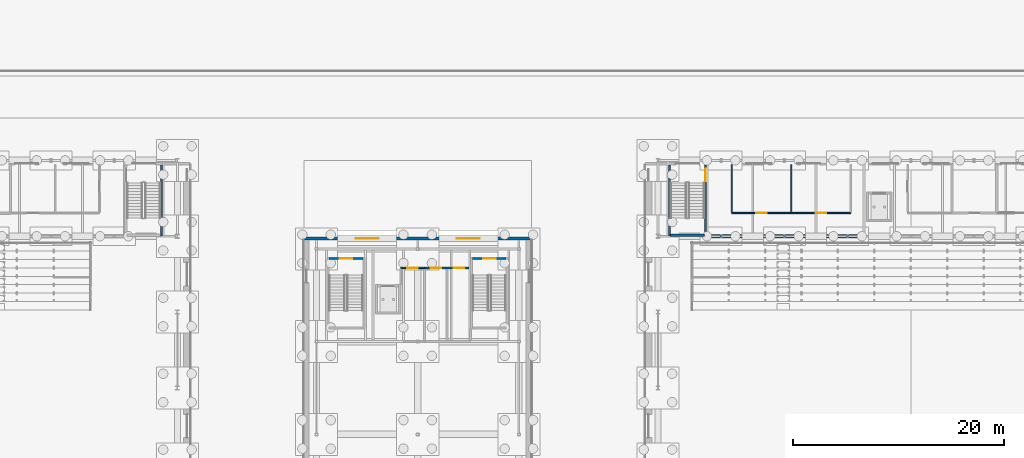
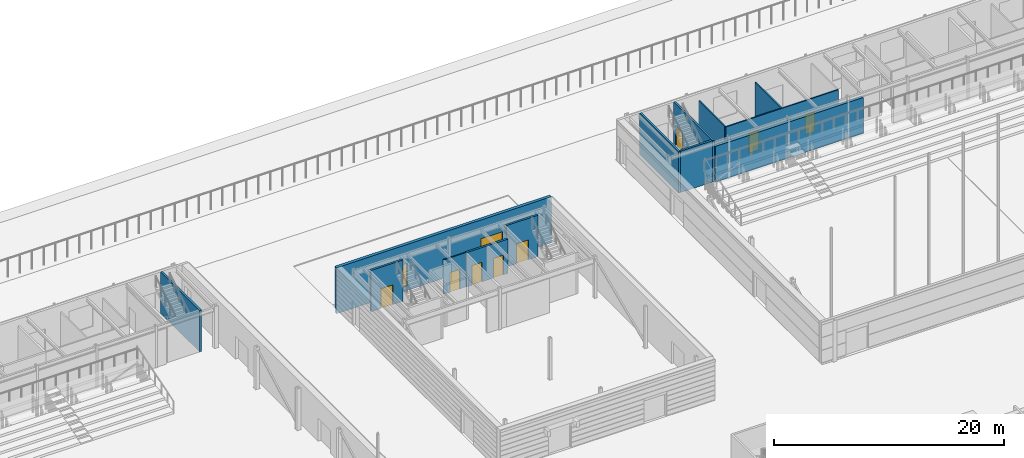
# One storey, part 87 of 139: 13 walls, 10 doors, 10 openings.
"""IFC4 building model written with IfcOpenShell, lengths in metres."""

import ifcopenshell
import ifcopenshell.guid

model = None  # the IFC model being written
_history = None  # IfcOwnerHistory: only IFC2X3 demands one
_inside = {}  # id of a spatial element -> (the spatial element, [elements in it])
_under = {}  # id of a project, library or spatial element -> (it, [spatial elements below it])
_declared = {}  # id of a project -> (the project, [libraries it declares])
_typed = {}  # id of a type object -> (the type object, [elements of that type])
_made_of = {}  # id of a material, layer set ... -> (it, [elements and type objects made of it])


def new_model(schema):
    """Start an empty IFC model of exactly this schema.

    Asked for "IFC4X3", IfcOpenShell would pick the latest addendum, in which some entities
    have other attributes; the version numbers below select the first issue.
    IFC2X3 requires an IfcOwnerHistory on every rooted entity: one is made here for all.
    """
    global model, _history
    if schema == "IFC4X3":
        model = ifcopenshell.file(schema_version=(4, 3, 0, 0))
    else:
        model = ifcopenshell.file(schema=schema)
    _inside.clear()
    _under.clear()
    _declared.clear()
    _typed.clear()
    _made_of.clear()
    _history = None
    if model.schema == "IFC2X3":
        org = make("IfcOrganization", Name="unknown")
        user = make(
            "IfcPersonAndOrganization",
            ThePerson=make("IfcPerson", FamilyName="unknown"),
            TheOrganization=org,
        )
        app = make(
            "IfcApplication",
            ApplicationDeveloper=org,
            Version="unknown",
            ApplicationFullName="unknown",
            ApplicationIdentifier="unknown",
        )
        _history = make(
            "IfcOwnerHistory",
            OwningUser=user,
            OwningApplication=app,
            ChangeAction="ADDED",
            CreationDate=0,
        )
    return model


def make(cls, **values):
    """One entity of the class cls with the attributes given. An attribute that is None is left unset."""
    return model.create_entity(
        cls, **{name: value for name, value in values.items() if value is not None}
    )


def rooted(cls, **values):
    """An entity with a GlobalId (a new one), such as an element, a storey or a relation."""
    return make(cls, GlobalId=ifcopenshell.guid.new(), OwnerHistory=_history, **values)


def si_unit(unit_type, name, prefix=None):
    """IfcSIUnit, for example si_unit("LENGTHUNIT", "METRE", prefix="MILLI")."""
    return make("IfcSIUnit", UnitType=unit_type, Prefix=prefix, Name=name)


def assignment(units):
    """IfcUnitAssignment: the units of a project."""
    return None if units is None else make("IfcUnitAssignment", Units=units)


def point(xyz):
    """IfcCartesianPoint."""
    return None if xyz is None else make("IfcCartesianPoint", Coordinates=xyz)


def direction(xyz):
    """IfcDirection."""
    return None if xyz is None else make("IfcDirection", DirectionRatios=xyz)


def frame(location, z_axis=None, x_axis=None):
    """IfcAxis2Placement3D, a coordinate frame: its origin and axes. An axis left out is left unset."""
    return make(
        "IfcAxis2Placement3D",
        Location=point(location),
        Axis=direction(z_axis),
        RefDirection=direction(x_axis),
    )


def frame_2d(location, x_axis=None):
    """IfcAxis2Placement2D, a coordinate frame in the plane: its origin and x axis."""
    return make(
        "IfcAxis2Placement2D", Location=point(location), RefDirection=direction(x_axis)
    )


def origin():
    """The frame at (0, 0, 0) with its axes left unset."""
    return frame((0.0, 0.0, 0.0))


def place(relative_to, where):
    """IfcLocalPlacement: puts the frame where relative to a parent placement (None: the world)."""
    return make(
        "IfcLocalPlacement", PlacementRelTo=relative_to, RelativePlacement=where
    )


def context(
    kind, dimensions, precision=None, world=None, true_north=None, identifier=None
):
    """IfcGeometricRepresentationContext, for example the 3D "Model" context."""
    return make(
        "IfcGeometricRepresentationContext",
        ContextIdentifier=identifier,
        ContextType=kind,
        CoordinateSpaceDimension=dimensions,
        Precision=precision,
        WorldCoordinateSystem=world,
        TrueNorth=true_north,
    )


def subcontext(parent, identifier, kind, view, scale=None):
    """IfcGeometricRepresentationSubContext, for example "Body" below "Model"."""
    return make(
        "IfcGeometricRepresentationSubContext",
        ContextIdentifier=identifier,
        ContextType=kind,
        ParentContext=parent,
        TargetScale=scale,
        TargetView=view,
    )


def project(units=None, contexts=None):
    """IfcProject with its units and contexts."""
    return rooted(
        "IfcProject",
        Name="project",
        RepresentationContexts=contexts,
        UnitsInContext=assignment(units),
    )


def spatial(cls, under=None, at=None, **own):
    """A site, building, storey or space (cls), placed at a placement, below another one or the project."""
    s = rooted(cls, ObjectPlacement=at, **own)
    if under is not None:
        _under.setdefault(under.id(), (under, []))[1].append(s)
    return s


def profile(cls, at=None, kind="AREA", **sizes):
    """A parametric profile (cls). Its sizes go by their IFC names, for example OverallWidth=200.0."""
    return make(cls, ProfileType=kind, Position=at, **sizes)


def rectangle(**sizes):
    """IfcRectangleProfileDef."""
    return profile("IfcRectangleProfileDef", **sizes)


def extrude(swept, where, along, depth):
    """IfcExtrudedAreaSolid: the profile swept, set in the frame where, extruded along a direction by depth."""
    return make(
        "IfcExtrudedAreaSolid",
        SweptArea=swept,
        Position=where,
        ExtrudedDirection=direction(along),
        Depth=depth,
    )


def shape(context_of_items, identifier, shape_type, items):
    """IfcShapeRepresentation: the items that make up one representation, for example the "Body"."""
    return make(
        "IfcShapeRepresentation",
        ContextOfItems=context_of_items,
        RepresentationIdentifier=identifier,
        RepresentationType=shape_type,
        Items=items,
    )


def material(Name=None, Category=None):
    """IfcMaterial."""
    return make("IfcMaterial", Name=Name, Category=Category)


def layer(
    of_material, thickness, ventilated=None, Name=None, Category=None, Priority=None
):
    """IfcMaterialLayer: one layer of a wall or slab, of a material (None: an air gap)."""
    return make(
        "IfcMaterialLayer",
        Material=of_material,
        LayerThickness=thickness,
        IsVentilated=ventilated,
        Name=Name,
        Category=Category,
        Priority=Priority,
    )


def layer_set(layers, Name=None):
    """IfcMaterialLayerSet."""
    return make("IfcMaterialLayerSet", MaterialLayers=layers, LayerSetName=Name)


def made_of(thing, what):
    """Note that an element or type object is made of a material, layer set ...; save() writes the relation."""
    if what is not None:
        _made_of.setdefault(what.id(), (what, []))[1].append(thing)
    return thing


def type_object(cls, material=None, **own):
    """A type object (cls), such as IfcWallType, which elements share."""
    return made_of(rooted(cls, **own), material)


def element(
    cls,
    number,
    at=None,
    inside=None,
    cuts=None,
    type_object=None,
    material=None,
    context=None,
    identifier="Body",
    shape_type=None,
    held_by="IfcProductDefinitionShape",
    body=None,
    shapes=None,
    **own,
):
    """One element of the class cls, such as IfcWall. Its Tag is "e" and its number.

    at: its placement. inside: the storey or other place that contains it. cuts: it is an
    opening in that element (IfcRelVoidsElement). A single representation is given by context,
    identifier, shape_type and body (its items); several are given by shapes. held_by: the class
    of the entity that holds the representations. save() writes the other relations.
    """
    e = rooted(cls, Tag="e%d" % number, ObjectPlacement=at, **own)
    if body is not None:
        shapes = [shape(context, identifier, shape_type, body)]
    if shapes is not None:
        e.Representation = make(held_by, Representations=shapes)
    if inside is not None:
        _inside.setdefault(inside.id(), (inside, []))[1].append(e)
    if cuts is not None:
        rooted(
            "IfcRelVoidsElement", RelatingBuildingElement=cuts, RelatedOpeningElement=e
        )
    if type_object is not None:
        _typed.setdefault(type_object.id(), (type_object, []))[1].append(e)
    return made_of(e, material)


def fill(opening, filler):
    """IfcRelFillsElement: the door or window that sits in an opening."""
    return rooted(
        "IfcRelFillsElement",
        RelatingOpeningElement=opening,
        RelatedBuildingElement=filler,
    )


def aggregate(whole, parts):
    """IfcRelAggregates: a whole, such as a stair, and the parts it consists of."""
    return rooted("IfcRelAggregates", RelatingObject=whole, RelatedObjects=parts)


def save(model, path):
    """Write the relations noted so far, then the file.

    IfcRelAggregates (storeys below a building ...), IfcRelContainedInSpatialStructure (elements
    in a storey), IfcRelDefinesByType, IfcRelAssociatesMaterial and IfcRelDeclares: one each for
    every whole, place, type object, material and project.
    """
    for whole, parts in _under.values():
        aggregate(whole, parts)
    for where, things in _inside.values():
        rooted(
            "IfcRelContainedInSpatialStructure",
            RelatedElements=things,
            RelatingStructure=where,
        )
    for kind, things in _typed.values():
        rooted("IfcRelDefinesByType", RelatedObjects=things, RelatingType=kind)
    for what, things in _made_of.values():
        rooted("IfcRelAssociatesMaterial", RelatedObjects=things, RelatingMaterial=what)
    for by, libraries in _declared.values():
        rooted("IfcRelDeclares", RelatingContext=by, RelatedDefinitions=libraries)
    model.write(path)


model = new_model("IFC4")

# Units and contexts
model_context = context("Model", 3, precision=1e-05, world=origin(), true_north=direction((0.0, 1.0)))
body_context = subcontext(model_context, "Body", "Model", "MODEL_VIEW")
ifc_project = project(units=[si_unit("LENGTHUNIT", "METRE"), si_unit("AREAUNIT", "SQUARE_METRE"), si_unit("VOLUMEUNIT", "CUBIC_METRE"), si_unit("PLANEANGLEUNIT", "RADIAN"), si_unit("MASSUNIT", "GRAM", prefix="KILO")], contexts=[model_context])

# Site, building, storey
site_placement = place(None, origin())
site = spatial("IfcSite", under=ifc_project, at=site_placement, CompositionType="ELEMENT")
building_placement = place(site_placement, origin())
building = spatial("IfcBuilding", under=site, at=building_placement, Name="Verrick Yard Athletic Hall", CompositionType="ELEMENT")
storey_placement = place(building_placement, origin())
storey = spatial("IfcBuildingStorey", under=building, at=storey_placement, Name="L00", CompositionType="ELEMENT", Elevation=0.0)

# Wall, opening, door
ifc_material_1 = material(Name="Concrete 35 MPa", Category="concrete")
ifc_layer_1 = layer(ifc_material_1, 0.199951171875)
ifc_layer_set_1 = layer_set([ifc_layer_1], Name="Enclosure wall CR200")
wall_type_1 = type_object("IfcWallType", Name="Enclosure wall CR200", PredefinedType="SOLIDWALL", material=ifc_layer_set_1)
wall_1_placement = place(storey_placement, frame((104.0, 98.699951171875, 0.0), z_axis=(0.0, 0.0, 1.0), x_axis=(1.0, 0.0, 0.0)))
wall_1 = element("IfcWall", 1, at=wall_1_placement, inside=storey, type_object=wall_type_1, Name="CORE-CH-E-WN-L00", PredefinedType="SOLIDWALL", context=body_context, shape_type="SweptSolid", body=[
    extrude(rectangle(XDim=3.199951171875, YDim=0.199951171875, at=frame_2d((1.60009765625, 0.0))), origin(), (0.0, 0.0, 1.0), 4.39990234375),
])
opening_1_placement = place(wall_1_placement, frame((1.0, 0.0, 0.0)))
opening_1 = element("IfcOpeningElement", 2, at=opening_1_placement, cuts=wall_1, Name="Opening SD1", PredefinedType="OPENING", context=body_context, shape_type="SweptSolid", body=[
    extrude(rectangle(XDim=1.199951171875, YDim=2.10009765625, at=frame_2d((0.60009765625, 1.050048828125))), frame((0.0, 0.10986328125, 0.0), z_axis=(0.0, -1.0, 0.0), x_axis=(1.0, 0.0, 0.0)), (0.0, 0.0, 1.0), 0.219970703125),
])
ifc_material_2 = material(Name="Hollow metal door leaf")
door_type_1 = type_object("IfcDoorType", Name="Core door SD1 1200x2100", OperationType="NOTDEFINED", PredefinedType="DOOR", material=ifc_material_2)
door_1_placement = place(opening_1_placement, origin())
door_1 = element("IfcDoor", 3, at=door_1_placement, inside=storey, type_object=door_type_1, Name="CORE-CH-E-WN-L00-DSD1-10560", OperationType="SINGLE_SWING_LEFT", OverallHeight=2.10009765625, OverallWidth=1.199951171875, PredefinedType="DOOR", context=body_context, shape_type="SweptSolid", body=[
    extrude(rectangle(XDim=1.199951171875, YDim=2.10009765625, at=frame_2d((0.60009765625, 1.050048828125))), frame((0.0, 0.02490234375, 0.0), z_axis=(0.0, -1.0, 0.0), x_axis=(1.0, 0.0, 0.0)), (0.0, 0.0, 1.0), 0.050048828125),
])
fill(opening_1, door_1)

wall_2_placement = place(storey_placement, frame((90.39990234375, 98.699951171875, 0.0), z_axis=(0.0, 0.0, 1.0), x_axis=(1.0, 0.0, 0.0)))
wall_2 = element("IfcWall", 4, at=wall_2_placement, inside=storey, type_object=wall_type_1, Name="CORE-CH-W-WN-L00", PredefinedType="SOLIDWALL", context=body_context, shape_type="SweptSolid", body=[
    extrude(rectangle(XDim=3.2001953125, YDim=0.199951171875, at=frame_2d((1.60009765625, 0.0))), origin(), (0.0, 0.0, 1.0), 4.39990234375),
])
opening_2_placement = place(wall_2_placement, frame((1.0, 0.0, 0.0)))
opening_2 = element("IfcOpeningElement", 5, at=opening_2_placement, cuts=wall_2, Name="Opening SD1", PredefinedType="OPENING", context=body_context, shape_type="SweptSolid", body=[
    extrude(rectangle(XDim=1.199951171875, YDim=2.10009765625, at=frame_2d((0.60009765625, 1.050048828125))), frame((0.0, 0.10986328125, 0.0), z_axis=(0.0, -1.0, 0.0), x_axis=(1.0, 0.0, 0.0)), (0.0, 0.0, 1.0), 0.219970703125),
])
door_2_placement = place(opening_2_placement, origin())
door_2 = element("IfcDoor", 6, at=door_2_placement, inside=storey, type_object=door_type_1, Name="CORE-CH-W-WN-L00-DSD1-9200", OperationType="SINGLE_SWING_RIGHT", OverallHeight=2.10009765625, OverallWidth=1.199951171875, PredefinedType="DOOR", context=body_context, shape_type="SweptSolid", body=[
    extrude(rectangle(XDim=1.199951171875, YDim=2.10009765625, at=frame_2d((0.60009765625, 1.050048828125))), frame((0.0, 0.02490234375, 0.0), z_axis=(0.0, -1.0, 0.0), x_axis=(1.0, 0.0, 0.0)), (0.0, 0.0, 1.0), 0.050048828125),
])
fill(opening_2, door_2)

# Wall
wall_3_placement = place(storey_placement, frame((122.699951171875, 100.800048828125, 0.0), z_axis=(0.0, 0.0, 1.0), x_axis=(0.0, 1.0, 0.0)))
element("IfcWall", 7, at=wall_3_placement, inside=storey, type_object=wall_type_1, Name="CORE-HA-W-WW-L00", PredefinedType="SOLIDWALL", context=body_context, shape_type="SweptSolid", body=[
    extrude(rectangle(XDim=6.782958984375, YDim=0.199951171875, at=frame_2d((3.3916015625, 0.0))), origin(), (0.0, 0.0, 1.0), 4.39990234375),
])

# Wall, opening, door
wall_4_placement = place(storey_placement, frame((126.10009765625, 100.800048828125, 0.0), z_axis=(0.0, 0.0, 1.0), x_axis=(0.0, 1.0, 0.0)))
wall_4 = element("IfcWall", 8, at=wall_4_placement, inside=storey, type_object=wall_type_1, Name="CORE-HA-W-WE-L00", PredefinedType="SOLIDWALL", context=body_context, shape_type="SweptSolid", body=[
    extrude(rectangle(XDim=6.782958984375, YDim=0.199951171875, at=frame_2d((3.3916015625, 0.0))), origin(), (0.0, 0.0, 1.0), 4.39990234375),
])
opening_3_placement = place(wall_4_placement, frame((5.22509765625, 0.0, 0.0)))
opening_3 = element("IfcOpeningElement", 9, at=opening_3_placement, cuts=wall_4, Name="Opening SD1", PredefinedType="OPENING", context=body_context, shape_type="SweptSolid", body=[
    extrude(rectangle(XDim=1.199951171875, YDim=2.10009765625, at=frame_2d((0.60009765625, 1.050048828125))), frame((0.0, 0.10986328125, 0.0), z_axis=(0.0, -1.0, 0.0), x_axis=(1.0, 0.0, 0.0)), (0.0, 0.0, 1.0), 0.219970703125),
])
door_3_placement = place(opening_3_placement, origin())
door_3 = element("IfcDoor", 10, at=door_3_placement, inside=storey, type_object=door_type_1, Name="CORE-HA-W-WE-L00-DSD1-10662", OperationType="SINGLE_SWING_LEFT", OverallHeight=2.10009765625, OverallWidth=1.199951171875, PredefinedType="DOOR", context=body_context, shape_type="SweptSolid", body=[
    extrude(rectangle(XDim=1.199951171875, YDim=2.10009765625, at=frame_2d((0.60009765625, 1.050048828125))), frame((0.0, 0.02490234375, 0.0), z_axis=(0.0, -1.0, 0.0), x_axis=(1.0, 0.0, 0.0)), (0.0, 0.0, 1.0), 0.050048828125),
])
fill(opening_3, door_3)

# Walls
wall_5_placement = place(storey_placement, frame((122.800048828125, 100.89990234375, 0.0), z_axis=(0.0, 0.0, 1.0), x_axis=(1.0, 0.0, 0.0)))
element("IfcWall", 11, at=wall_5_placement, inside=storey, type_object=wall_type_1, Name="CORE-HA-W-WS-L00", PredefinedType="SOLIDWALL", context=body_context, shape_type="SweptSolid", body=[
    extrude(rectangle(XDim=3.199951171875, YDim=0.199951171875, at=frame_2d((1.60009765625, 0.0))), origin(), (0.0, 0.0, 1.0), 4.39990234375),
])
wall_6_placement = place(storey_placement, frame((74.5, 100.800048828125, 0.0), z_axis=(0.0, 0.0, 1.0), x_axis=(0.0, 1.0, 0.0)))
element("IfcWall", 12, at=wall_6_placement, inside=storey, type_object=wall_type_1, Name="CORE-HB-E-WE-L00", PredefinedType="SOLIDWALL", context=body_context, shape_type="SweptSolid", body=[
    extrude(rectangle(XDim=6.782958984375, YDim=0.199951171875, at=frame_2d((3.3916015625, 0.0))), origin(), (0.0, 0.0, 1.0), 4.39990234375),
])

# Wall, openings, doors
ifc_layer_2 = layer(ifc_material_1, 0.300048828125)
ifc_layer_set_2 = layer_set([ifc_layer_2], Name="HB climbing wall 300")
wall_type_2 = type_object("IfcWallType", Name="HB climbing wall 300", PredefinedType="SOLIDWALL", material=ifc_layer_set_2)
wall_7_placement = place(storey_placement, frame((88.0, 100.60009765625, -0.5), z_axis=(0.0, 0.0, 1.0), x_axis=(1.0, 0.0, 0.0)))
wall_7 = element("IfcWall", 13, at=wall_7_placement, inside=storey, type_object=wall_type_2, Name="HB-CT-L00", PredefinedType="SOLIDWALL", context=body_context, shape_type="SweptSolid", body=[
    extrude(rectangle(XDim=21.60009765625, YDim=0.300048828125, at=frame_2d((10.800048828125, 0.0))), origin(), (0.0, 0.0, 1.0), 4.89990234375),
])
opening_4_placement = place(wall_7_placement, frame((4.89990234375, 0.0, 0.5)))
opening_4 = element("IfcOpeningElement", 14, at=opening_4_placement, cuts=wall_7, Name="Opening ED23", PredefinedType="OPENING", context=body_context, shape_type="SweptSolid", body=[
    extrude(rectangle(XDim=2.199951171875, YDim=2.39990234375, at=frame_2d((1.10009765625, 1.199951171875))), frame((0.0, 0.16015625, 0.0), z_axis=(0.0, -1.0, 0.0), x_axis=(1.0, 0.0, 0.0)), (0.0, 0.0, 1.0), 0.320068359375),
])
opening_5_placement = place(wall_7_placement, frame((14.5, 0.0, 0.5)))
opening_5 = element("IfcOpeningElement", 15, at=opening_5_placement, cuts=wall_7, Name="Opening ED23", PredefinedType="OPENING", context=body_context, shape_type="SweptSolid", body=[
    extrude(rectangle(XDim=2.199951171875, YDim=2.39990234375, at=frame_2d((1.10009765625, 1.199951171875))), frame((0.0, 0.16015625, 0.0), z_axis=(0.0, -1.0, 0.0), x_axis=(1.0, 0.0, 0.0)), (0.0, 0.0, 1.0), 0.320068359375),
])
ifc_material_3 = material(Name="Powder-coated aluminium door leaf", Category="aluminium")
door_type_2 = type_object("IfcDoorType", Name="Exterior double door 2200", OperationType="NOTDEFINED", PredefinedType="DOOR", material=ifc_material_3)
door_4_placement = place(opening_4_placement, origin())
door_4 = element("IfcDoor", 16, at=door_4_placement, inside=storey, type_object=door_type_2, Name="Climbing hall exit door N1", OperationType="DOUBLE_DOOR_SINGLE_SWING", OverallHeight=2.39990234375, OverallWidth=2.199951171875, PredefinedType="DOOR", context=body_context, shape_type="SweptSolid", body=[
    extrude(rectangle(XDim=2.199951171875, YDim=2.39990234375, at=frame_2d((1.10009765625, 1.199951171875))), frame((0.0, 0.02490234375, 0.0), z_axis=(0.0, -1.0, 0.0), x_axis=(1.0, 0.0, 0.0)), (0.0, 0.0, 1.0), 0.050048828125),
])
fill(opening_4, door_4)
door_5_placement = place(opening_5_placement, origin())
door_5 = element("IfcDoor", 17, at=door_5_placement, inside=storey, type_object=door_type_2, Name="Climbing hall exit door N2", OperationType="DOUBLE_DOOR_SINGLE_SWING", OverallHeight=2.39990234375, OverallWidth=2.199951171875, PredefinedType="DOOR", context=body_context, shape_type="SweptSolid", body=[
    extrude(rectangle(XDim=2.199951171875, YDim=2.39990234375, at=frame_2d((1.10009765625, 1.199951171875))), frame((0.0, 0.02490234375, 0.0), z_axis=(0.0, -1.0, 0.0), x_axis=(1.0, 0.0, 0.0)), (0.0, 0.0, 1.0), 0.050048828125),
])
fill(opening_5, door_5)

ifc_material_4 = material(Name="Concrete masonry block 15 MPa", Category="masonry")
ifc_layer_3 = layer(ifc_material_4, 0.199951171875)
ifc_layer_set_3 = layer_set([ifc_layer_3], Name="PW1 Block partition 200")
wall_type_3 = type_object("IfcWallType", Name="PW1 Block partition 200", PredefinedType="PARTITIONING", material=ifc_layer_set_3)
wall_8_placement = place(storey_placement, frame((99.449951171875, 97.800048828125, 0.0), z_axis=(0.0, 0.0, 1.0), x_axis=(1.0, 0.0, 0.0)))
wall_8 = element("IfcWall", 18, at=wall_8_placement, inside=storey, type_object=wall_type_3, Name="Partition PW1", PredefinedType="PARTITIONING", context=body_context, shape_type="SweptSolid", body=[
    extrude(rectangle(XDim=4.199951171875, YDim=0.199951171875, at=frame_2d((2.10009765625, 0.0))), origin(), (0.0, 0.0, 1.0), 3.64990234375),
])
opening_6_placement = place(wall_8_placement, frame((0.574951171875, 0.0, 0.0)))
opening_6 = element("IfcOpeningElement", 19, at=opening_6_placement, cuts=wall_8, Name="Opening D1", PredefinedType="OPENING", context=body_context, shape_type="SweptSolid", body=[
    extrude(rectangle(XDim=1.0, YDim=2.10009765625, at=frame_2d((0.5, 1.050048828125))), frame((0.0, 0.10986328125, 0.0), z_axis=(0.0, -1.0, 0.0), x_axis=(1.0, 0.0, 0.0)), (0.0, 0.0, 1.0), 0.219970703125),
])
opening_7_placement = place(wall_8_placement, frame((2.75, 0.0, 0.0)))
opening_7 = element("IfcOpeningElement", 20, at=opening_7_placement, cuts=wall_8, Name="Opening D1", PredefinedType="OPENING", context=body_context, shape_type="SweptSolid", body=[
    extrude(rectangle(XDim=1.0, YDim=2.10009765625, at=frame_2d((0.5, 1.050048828125))), frame((0.0, 0.10986328125, 0.0), z_axis=(0.0, -1.0, 0.0), x_axis=(1.0, 0.0, 0.0)), (0.0, 0.0, 1.0), 0.219970703125),
])
ifc_material_5 = material(Name="Timber door leaf in steel frame", Category="steel")
door_type_3 = type_object("IfcDoorType", Name="D1 Single door 1000 x 2100", OperationType="NOTDEFINED", PredefinedType="DOOR", material=ifc_material_5)
door_6_placement = place(opening_6_placement, origin())
door_6 = element("IfcDoor", 21, at=door_6_placement, inside=storey, type_object=door_type_3, Name="D1 Climbing WC Men", OperationType="SINGLE_SWING_RIGHT", OverallHeight=2.10009765625, OverallWidth=1.0, PredefinedType="DOOR", context=body_context, shape_type="SweptSolid", body=[
    extrude(rectangle(XDim=1.0, YDim=2.10009765625, at=frame_2d((0.5, 1.050048828125))), frame((0.0, 0.02490234375, 0.0), z_axis=(0.0, -1.0, 0.0), x_axis=(1.0, 0.0, 0.0)), (0.0, 0.0, 1.0), 0.050048828125),
])
fill(opening_6, door_6)
door_7_placement = place(opening_7_placement, origin())
door_7 = element("IfcDoor", 22, at=door_7_placement, inside=storey, type_object=door_type_3, Name="D1 Climbing WC Women", OperationType="SINGLE_SWING_LEFT", OverallHeight=2.10009765625, OverallWidth=1.0, PredefinedType="DOOR", context=body_context, shape_type="SweptSolid", body=[
    extrude(rectangle(XDim=1.0, YDim=2.10009765625, at=frame_2d((0.5, 1.050048828125))), frame((0.0, 0.02490234375, 0.0), z_axis=(0.0, -1.0, 0.0), x_axis=(1.0, 0.0, 0.0)), (0.0, 0.0, 1.0), 0.050048828125),
])
fill(opening_7, door_7)

# Wall, opening, door
ifc_material_6 = material(Name="Gypsum plasterboard on light-gauge studs")
ifc_layer_4 = layer(ifc_material_6, 0.125)
ifc_layer_set_4 = layer_set([ifc_layer_4], Name="PW2 Stud partition 125")
wall_type_4 = type_object("IfcWallType", Name="PW2 Stud partition 125", PredefinedType="PARTITIONING", material=ifc_layer_set_4)
wall_9_placement = place(storey_placement, frame((97.199951171875, 97.800048828125, 0.0), z_axis=(0.0, 0.0, 1.0), x_axis=(1.0, 0.0, 0.0)))
wall_9 = element("IfcWall", 23, at=wall_9_placement, inside=storey, type_object=wall_type_4, Name="Partition PW2", PredefinedType="PARTITIONING", context=body_context, shape_type="SweptSolid", body=[
    extrude(rectangle(XDim=2.25, YDim=0.125, at=frame_2d((1.125, 0.0))), origin(), (0.0, 0.0, 1.0), 3.64990234375),
])
opening_8_placement = place(wall_9_placement, frame((0.625, 0.0, 0.0)))
opening_8 = element("IfcOpeningElement", 24, at=opening_8_placement, cuts=wall_9, Name="Opening D1", PredefinedType="OPENING", context=body_context, shape_type="SweptSolid", body=[
    extrude(rectangle(XDim=1.0, YDim=2.10009765625, at=frame_2d((0.5, 1.050048828125))), frame((0.0, 0.072509765625, 0.0), z_axis=(0.0, -1.0, 0.0), x_axis=(1.0, 0.0, 0.0)), (0.0, 0.0, 1.0), 0.14501953125),
])
door_8_placement = place(opening_8_placement, origin())
door_8 = element("IfcDoor", 25, at=door_8_placement, inside=storey, type_object=door_type_3, Name="D1 Climbing Reception", OperationType="SINGLE_SWING_LEFT", OverallHeight=2.10009765625, OverallWidth=1.0, PredefinedType="DOOR", context=body_context, shape_type="SweptSolid", body=[
    extrude(rectangle(XDim=1.0, YDim=2.10009765625, at=frame_2d((0.5, 1.050048828125))), frame((0.0, 0.02490234375, 0.0), z_axis=(0.0, -1.0, 0.0), x_axis=(1.0, 0.0, 0.0)), (0.0, 0.0, 1.0), 0.050048828125),
])
fill(opening_8, door_8)

# Wall, openings, doors
wall_10_placement = place(storey_placement, frame((128.60009765625, 103.0, 0.0), z_axis=(0.0, 0.0, 1.0), x_axis=(1.0, 0.0, 0.0)))
wall_10 = element("IfcWall", 26, at=wall_10_placement, inside=storey, type_object=wall_type_4, Name="Partition PW2", PredefinedType="PARTITIONING", context=body_context, shape_type="SweptSolid", body=[
    extrude(rectangle(XDim=11.2998046875, YDim=0.125, at=frame_2d((5.64990234375, 0.0))), origin(), (0.0, 0.0, 1.0), 3.64990234375),
])
opening_9_placement = place(wall_10_placement, frame((2.324951171875, 0.0, 0.0)))
opening_9 = element("IfcOpeningElement", 27, at=opening_9_placement, cuts=wall_10, Name="Opening D1", PredefinedType="OPENING", context=body_context, shape_type="SweptSolid", body=[
    extrude(rectangle(XDim=1.0, YDim=2.10009765625, at=frame_2d((0.5, 1.050048828125))), frame((0.0, 0.072509765625, 0.0), z_axis=(0.0, -1.0, 0.0), x_axis=(1.0, 0.0, 0.0)), (0.0, 0.0, 1.0), 0.14501953125),
])
opening_10_placement = place(wall_10_placement, frame((7.97509765625, 0.0, 0.0)))
opening_10 = element("IfcOpeningElement", 28, at=opening_10_placement, cuts=wall_10, Name="Opening D1", PredefinedType="OPENING", context=body_context, shape_type="SweptSolid", body=[
    extrude(rectangle(XDim=1.0, YDim=2.10009765625, at=frame_2d((0.5, 1.050048828125))), frame((0.0, 0.072509765625, 0.0), z_axis=(0.0, -1.0, 0.0), x_axis=(1.0, 0.0, 0.0)), (0.0, 0.0, 1.0), 0.14501953125),
])
door_9_placement = place(opening_9_placement, origin())
door_9 = element("IfcDoor", 29, at=door_9_placement, inside=storey, type_object=door_type_3, Name="D1 Officials Room A", OperationType="SINGLE_SWING_RIGHT", OverallHeight=2.10009765625, OverallWidth=1.0, PredefinedType="DOOR", context=body_context, shape_type="SweptSolid", body=[
    extrude(rectangle(XDim=1.0, YDim=2.10009765625, at=frame_2d((0.5, 1.050048828125))), frame((0.0, 0.02490234375, 0.0), z_axis=(0.0, -1.0, 0.0), x_axis=(1.0, 0.0, 0.0)), (0.0, 0.0, 1.0), 0.050048828125),
])
fill(opening_9, door_9)
door_10_placement = place(opening_10_placement, origin())
door_10 = element("IfcDoor", 30, at=door_10_placement, inside=storey, type_object=door_type_3, Name="D1 First Aid Room A", OperationType="SINGLE_SWING_LEFT", OverallHeight=2.10009765625, OverallWidth=1.0, PredefinedType="DOOR", context=body_context, shape_type="SweptSolid", body=[
    extrude(rectangle(XDim=1.0, YDim=2.10009765625, at=frame_2d((0.5, 1.050048828125))), frame((0.0, 0.02490234375, 0.0), z_axis=(0.0, -1.0, 0.0), x_axis=(1.0, 0.0, 0.0)), (0.0, 0.0, 1.0), 0.050048828125),
])
fill(opening_10, door_10)

# Walls
for number, where, z_axis, x_axis, name in (
    (31, (128.60009765625, 103.0625, 0.0), (0.0, 0.0, 1.0), (0.0, 1.0, 0.0), "Partition PW2"),
    (32, (134.25, 103.0625, 0.0), (0.0, 0.0, 1.0), (0.0, 1.0, 0.0), "Partition PW2"),
):
    element("IfcWall", number, at=place(storey_placement, frame(where, z_axis=z_axis, x_axis=x_axis)), inside=storey, type_object=wall_type_4, Name=name, PredefinedType="PARTITIONING", context=body_context, shape_type="SweptSolid", body=[
        extrude(rectangle(XDim=4.529052734375, YDim=0.125, at=frame_2d((2.2646484375, 0.0))), origin(), (0.0, 0.0, 1.0), 3.64990234375),
    ])
ifc_layer_5 = layer(ifc_material_4, 0.300048828125)
ifc_layer_set_5 = layer_set([ifc_layer_5], Name="PW5 Hall wall 300")
wall_type_5 = type_object("IfcWallType", Name="PW5 Hall wall 300", PredefinedType="PARTITIONING", material=ifc_layer_set_5)
wall_11_placement = place(storey_placement, frame((126.199951171875, 100.800048828125, 0.0), z_axis=(0.0, 0.0, 1.0), x_axis=(1.0, 0.0, 0.0)))
element("IfcWall", 33, at=wall_11_placement, inside=storey, type_object=wall_type_5, Name="Partition PW5", PredefinedType="PARTITIONING", context=body_context, shape_type="SweptSolid", body=[
    extrude(rectangle(XDim=14.900146484375, YDim=0.300048828125, at=frame_2d((7.4501953125, 0.0))), origin(), (0.0, 0.0, 1.0), 3.800048828125),
])

save(model, "model.ifc")
